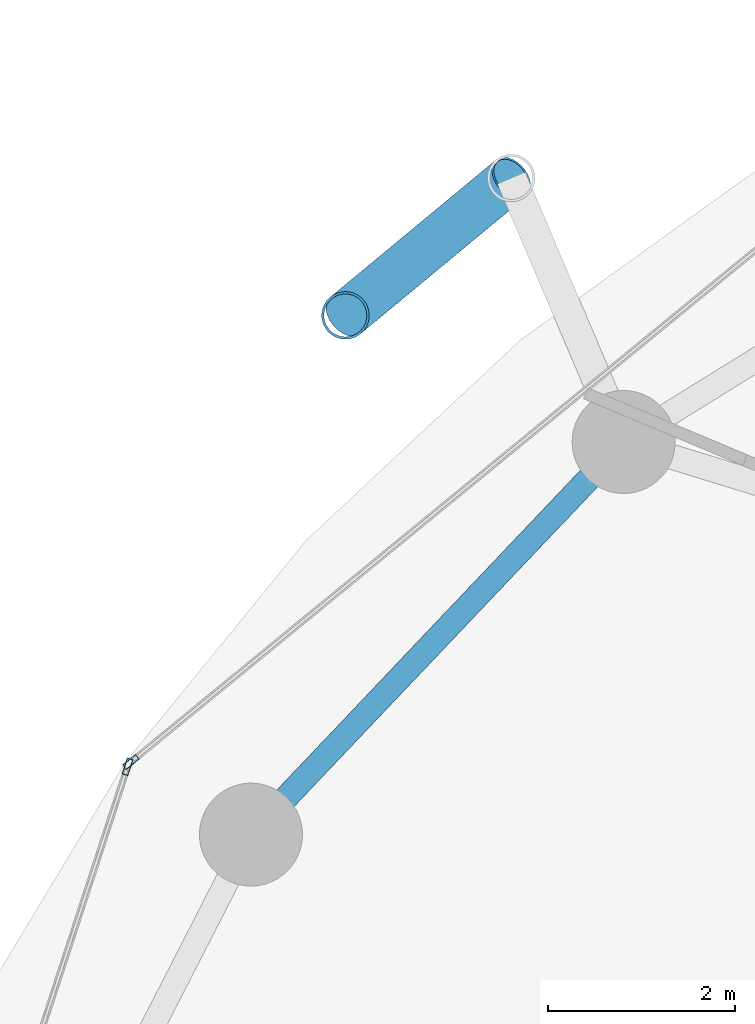
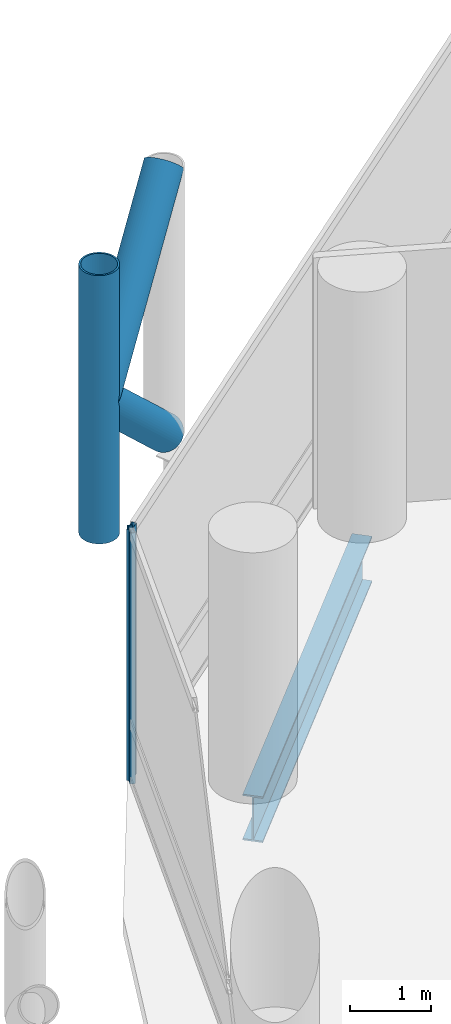
# One storey, part 13 of 25: 5 members, 1 beam, 2 elements without a shape of their own.
"""IFC4 building model written with IfcOpenShell, lengths in metres."""

from ifc_helpers import new_model, si_unit, direction, frame, origin, origin_2d, place, context, subcontext, project, spatial, hollow_rectangle, hollow_circle, i_section, extrude, material, layer, layer_set, material_profile, profile_set, type_object, element, aggregate, save


model = new_model("IFC4")

# Units and contexts
model_context = context("Model", 3, precision=1e-05, world=origin(), true_north=direction((0.0, 1.0)))
body_context = subcontext(model_context, "Body", "Model", "MODEL_VIEW")
ifc_project = project(units=[si_unit("LENGTHUNIT", "METRE"), si_unit("AREAUNIT", "SQUARE_METRE"), si_unit("VOLUMEUNIT", "CUBIC_METRE"), si_unit("PLANEANGLEUNIT", "RADIAN"), si_unit("MASSUNIT", "GRAM", prefix="KILO")], contexts=[model_context])

# Site, building, storey
site_placement = place(None, origin())
site = spatial("IfcSite", under=ifc_project, at=site_placement, CompositionType="ELEMENT")
building_placement = place(site_placement, origin())
building = spatial("IfcBuilding", under=site, at=building_placement, Name="Nuhasar Tower", CompositionType="ELEMENT")
storey_placement = place(building_placement, frame((0.0, 0.0, 45.300048828125)))
storey = spatial("IfcBuildingStorey", under=building, at=storey_placement, Name="L10", CompositionType="ELEMENT", Elevation=45.300048828125)

# Beam
ifc_material_1 = material(Name="Steel S355", Category="steel")
ifc_material_profile_1 = material_profile(ifc_material_1, i_section(OverallWidth=0.256103515625, OverallDepth=0.693115234375, WebThickness=0.014404296875, FlangeThickness=0.023681640625, at=origin_2d()), Name="W27X114")
ifc_profile_set_1 = profile_set([ifc_material_profile_1], Name="Steel S355")
beam_type = type_object("IfcBeamType", Name="BM-RING-W27X114", PredefinedType="SPANDREL", material=ifc_profile_set_1)
beam_placement = place(storey_placement, frame((21.287109375, 41.118896484375, -0.60595703125), z_axis=(-0.688480893507, -0.725254478976, 0.0), x_axis=(0.725254478976, -0.688480893507, 0.0)))
element("IfcBeam", 1, at=beam_placement, inside=storey, type_object=beam_type, Name="L10 Perimeter Ring Spandrel 10", PredefinedType="SPANDREL", context=body_context, shape_type="SweptSolid", body=[
    extrude(i_section(OverallWidth=0.256103515625, OverallDepth=0.693115234375, WebThickness=0.014404296875, FlangeThickness=0.023681640625, at=origin_2d()), origin(), (0.0, 0.0, 1.0), 5.782470703125),
])

# Curtain wall, member
ifc_material_2 = material(Name="Aluminium 6063-T6", Category="aluminium")
ifc_layer = layer(ifc_material_2, 0.199951171875)
ifc_layer_set = layer_set([ifc_layer], Name="Aluminium 6063-T6")
curtain_wall_type = type_object("IfcCurtainWallType", Name="CW-Z1-OFF", PredefinedType="NOTDEFINED", material=ifc_layer_set)
curtain_wall_1_placement = place(storey_placement, origin())
curtain_wall_1 = element("IfcCurtainWall", 2, at=curtain_wall_1_placement, inside=storey, type_object=curtain_wall_type, Name="L10 Unitised Curtain Wall 05", PredefinedType="NOTDEFINED")
ifc_material_profile_2 = material_profile(ifc_material_2, hollow_rectangle(XDim=0.06494140625, YDim=0.179931640625, WallThickness=0.0048828125, at=origin_2d()), Name="CWM-2")
ifc_profile_set_2 = profile_set([ifc_material_profile_2], Name="Aluminium 6063-T6")
member_type_1 = type_object("IfcMemberType", Name="CW-MUL-S2", PredefinedType="MULLION", material=ifc_profile_set_2)
member_1_placement = place(storey_placement, frame((16.023193359375, 37.70068359375, 0.0), z_axis=(0.0, 0.0, 1.0), x_axis=(0.633744593376, -0.773542364946, 0.0)))
member_1 = element("IfcMember", 3, at=member_1_placement, type_object=member_type_1, Name="CW-Z1 mullion 2", PredefinedType="MULLION", context=body_context, shape_type="SweptSolid", body=[
    extrude(hollow_rectangle(XDim=0.06494140625, YDim=0.179931640625, WallThickness=0.0048828125, at=origin_2d()), origin(), (0.0, 0.0, 1.0), 3.7900390625),
])
aggregate(curtain_wall_1, [member_1])

curtain_wall_2_placement = place(storey_placement, origin())
curtain_wall_2 = element("IfcCurtainWall", 4, at=curtain_wall_2_placement, inside=storey, type_object=curtain_wall_type, Name="L10 Unitised Curtain Wall 06", PredefinedType="NOTDEFINED")
member_2_placement = place(storey_placement, frame((15.98779296875, 37.649169921875, 0.0), z_axis=(0.0, 0.0, 1.0), x_axis=(0.950467534571, -0.310823849997, 0.0)))
member_2 = element("IfcMember", 5, at=member_2_placement, type_object=member_type_1, Name="CW-Z1 mullion 1", PredefinedType="MULLION", context=body_context, shape_type="SweptSolid", body=[
    extrude(hollow_rectangle(XDim=0.06494140625, YDim=0.179931640625, WallThickness=0.0048828125, at=origin_2d()), origin(), (0.0, 0.0, 1.0), 3.7900390625),
])
aggregate(curtain_wall_2, [member_2])

# Members
ifc_material_3 = material(Name="Steel S460", Category="steel")
ifc_material_profile_3 = material_profile(ifc_material_3, hollow_circle(Radius=0.25390625, WallThickness=0.025390625, at=origin_2d()), Name="HSS508X25.4")
ifc_profile_set_3 = profile_set([ifc_material_profile_3], Name="Steel S460")
member_type_2 = type_object("IfcMemberType", Name="EXO-BRONZE-508", PredefinedType="BRACE", material=ifc_profile_set_3)
member_3_placement = place(storey_placement, frame((18.31494140625, 42.470947265625, 0.0), z_axis=(0.0, 0.0, 1.0), x_axis=(1.0, 0.0, 0.0)))
element("IfcMember", 6, at=member_3_placement, inside=storey, type_object=member_type_2, Name="L10 Exoskeleton Chord Column EC-05B", PredefinedType="BRACE", context=body_context, shape_type="SweptSolid", body=[
    extrude(hollow_circle(Radius=0.25390625, WallThickness=0.025390625, at=origin_2d()), origin(), (0.0, 0.0, 1.0), 4.050048828125),
])
member_4_placement = place(storey_placement, frame((20.0869140625, 43.93896484375, 0.0), z_axis=(-0.578101613167, -0.478937034992, 0.660619286251), x_axis=(0.637969333506, -0.770061769929, 0.0)))
element("IfcMember", 7, at=member_4_placement, inside=storey, type_object=member_type_2, Name="L10 Bronze Diagrid Brace W1-05", PredefinedType="BRACE", context=body_context, shape_type="SweptSolid", body=[
    extrude(hollow_circle(Radius=0.25390625, WallThickness=0.025390625, at=origin_2d()), origin(), (0.0, 0.0, 1.0), 3.065185546875),
])
member_5_placement = place(storey_placement, frame((18.31494140625, 42.470947265625, 2.02490234375), z_axis=(0.578071194894, 0.478911834514, 0.660664172175), x_axis=(-0.637969333506, 0.770061769929, 0.0)))
element("IfcMember", 8, at=member_5_placement, inside=storey, type_object=member_type_2, Name="L10 Bronze Diagrid Brace W2-05", PredefinedType="BRACE", context=body_context, shape_type="SweptSolid", body=[
    extrude(hollow_circle(Radius=0.25390625, WallThickness=0.025390625, at=origin_2d()), origin(), (0.0, 0.0, 1.0), 3.0654296875),
])

save(model, "model.ifc")
